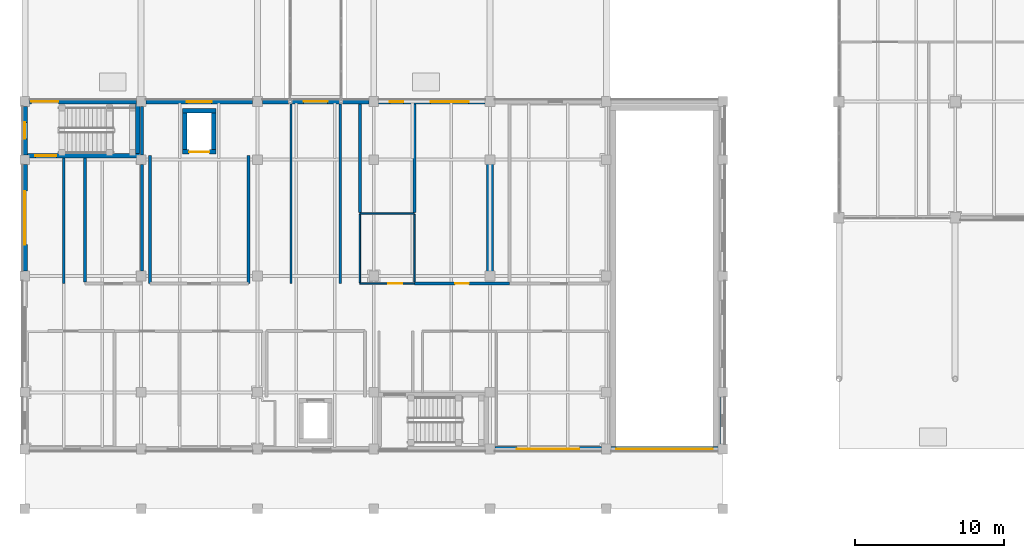
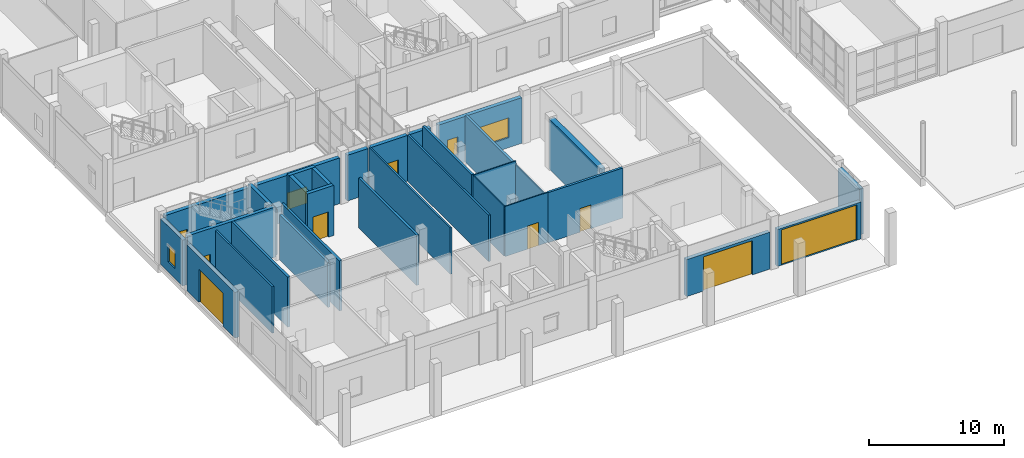
# One storey, part 92 of 131: 33 walls, 9 doors, 4 windows, 13 openings.
"""IFC4 building model written with IfcOpenShell, lengths in metres."""

from ifc_helpers import new_model, si_unit, direction, frame, frame_2d, origin, place, context, subcontext, project, spatial, rectangle, extrude, material, layer, layer_set, type_object, element, fill, save


model = new_model("IFC4")

# Units and contexts
model_context = context("Model", 3, precision=1e-05, world=origin(), true_north=direction((0.0, 1.0)))
body_context = subcontext(model_context, "Body", "Model", "MODEL_VIEW")
ifc_project = project(units=[si_unit("LENGTHUNIT", "METRE"), si_unit("AREAUNIT", "SQUARE_METRE"), si_unit("VOLUMEUNIT", "CUBIC_METRE"), si_unit("PLANEANGLEUNIT", "RADIAN"), si_unit("MASSUNIT", "GRAM", prefix="KILO")], contexts=[model_context])

# Site, building, storey
site_placement = place(None, origin())
site = spatial("IfcSite", under=ifc_project, at=site_placement, CompositionType="ELEMENT")
building_placement = place(site_placement, origin())
building = spatial("IfcBuilding", under=site, at=building_placement, Name="Celorna Specialist Clinic", CompositionType="ELEMENT")
storey_placement = place(building_placement, origin())
storey = spatial("IfcBuildingStorey", under=building, at=storey_placement, Name="L00", CompositionType="ELEMENT", Elevation=0.0)

# Wall
ifc_material_1 = material(Name="Concrete C40/50", Category="concrete")
ifc_layer_1 = layer(ifc_material_1, 0.449951171875, Name="Concrete C40/50")
ifc_layer_set_1 = layer_set([ifc_layer_1], Name="Concrete C40/50")
wall_type_1 = type_object("IfcWallType", Name="WT-04", PredefinedType="SHEAR", material=ifc_layer_set_1)
wall_1_placement = place(storey_placement, frame((31.199951171875, 15.75, 0.0), z_axis=(0.0, 0.0, 1.0), x_axis=(0.0, 1.0, 0.0)))
element("IfcWall", 1, at=wall_1_placement, inside=storey, type_object=wall_type_1, Name="Structural RC shear wall WT-04 V5 L00", PredefinedType="SHEAR", context=body_context, shape_type="SweptSolid", body=[
    extrude(rectangle(XDim=7.5, YDim=0.449951171875, at=frame_2d((3.75, 0.0))), origin(), (0.0, 0.0, 1.0), 4.5400390625),
])

# Wall, opening, door
ifc_material_2 = material(Name="Pero Pinheiro Lioz limestone insulated masonry", Category="masonry")
ifc_layer_2 = layer(ifc_material_2, 0.340087890625, Name="Pero Pinheiro Lioz limestone insulated masonry")
ifc_layer_set_2 = layer_set([ifc_layer_2], Name="Pero Pinheiro Lioz limestone insulated masonry")
wall_type_2 = type_object("IfcWallType", Name="WT-07", PredefinedType="STANDARD", material=ifc_layer_set_2)
wall_2_placement = place(storey_placement, frame((38.675048828125, 4.0, 0.0), z_axis=(0.0, 0.0, 1.0), x_axis=(-1.0, 0.0, 0.0)))
wall_2 = element("IfcWall", 2, at=wall_2_placement, inside=storey, type_object=wall_type_2, Name="External facade wall WT-07 #302", PredefinedType="STANDARD", context=body_context, shape_type="SweptSolid", body=[
    extrude(rectangle(XDim=7.150146484375, YDim=0.340087890625, at=frame_2d((3.5751953125, 0.0))), origin(), (0.0, 0.0, 1.0), 3.35009765625),
])
opening_1_placement = place(wall_2_placement, frame((1.47509765625, 0.0, 0.0)))
opening_1 = element("IfcOpeningElement", 3, at=opening_1_placement, cuts=wall_2, Name="Opening GT-02", PredefinedType="OPENING", context=body_context, shape_type="SweptSolid", body=[
    extrude(rectangle(XDim=4.199951171875, YDim=3.10009765625, at=frame_2d((2.10009765625, 1.550048828125))), frame((0.0, 0.179931640625, 0.0), z_axis=(0.0, -1.0, 0.0), x_axis=(1.0, 0.0, 0.0)), (0.0, 0.0, 1.0), 0.360107421875),
])
ifc_material_3 = material(Name="Insulated steel ambulance bay shutter", Category="steel")
door_type_1 = type_object("IfcDoorType", Name="GT-02", OperationType="ROLLINGUP", PredefinedType="GATE", material=ifc_material_3)
door_1_placement = place(opening_1_placement, frame((4.199951171875, 0.0, 0.0), z_axis=(0.0, 0.0, 1.0), x_axis=(-1.0, 0.0, 0.0)))
door_1 = element("IfcDoor", 4, at=door_1_placement, inside=storey, type_object=door_type_1, Name="Ambulance bay shutter VS-03", OperationType="ROLLINGUP", OverallHeight=3.10009765625, OverallWidth=4.199951171875, PredefinedType="GATE", context=body_context, shape_type="SweptSolid", body=[
    extrude(rectangle(XDim=4.199951171875, YDim=3.10009765625, at=frame_2d((2.10009765625, 1.550048828125))), frame((0.0, 0.02490234375, 0.0), z_axis=(0.0, -1.0, 0.0), x_axis=(1.0, 0.0, 0.0)), (0.0, 0.0, 1.0), 0.050048828125),
])
fill(opening_1, door_1)

wall_3_placement = place(storey_placement, frame((46.47509765625, 4.0, 0.0), z_axis=(0.0, 0.0, 1.0), x_axis=(-1.0, 0.0, 0.0)))
wall_3 = element("IfcWall", 5, at=wall_3_placement, inside=storey, type_object=wall_type_2, Name="External facade wall WT-07 #303", PredefinedType="STANDARD", context=body_context, shape_type="SweptSolid", body=[
    extrude(rectangle(XDim=7.150146484375, YDim=0.340087890625, at=frame_2d((3.5751953125, 0.0))), origin(), (0.0, 0.0, 1.0), 3.35009765625),
])
opening_2_placement = place(wall_3_placement, frame((0.324951171875, 0.0, 0.0)))
opening_2 = element("IfcOpeningElement", 6, at=opening_2_placement, cuts=wall_3, Name="Opening GT-01", PredefinedType="OPENING", context=body_context, shape_type="SweptSolid", body=[
    extrude(rectangle(XDim=6.5, YDim=3.199951171875, at=frame_2d((3.25, 1.60009765625))), frame((0.0, 0.179931640625, 0.0), z_axis=(0.0, -1.0, 0.0), x_axis=(1.0, 0.0, 0.0)), (0.0, 0.0, 1.0), 0.360107421875),
])
ifc_material_4 = material(Name="Insulated steel vehicle roller shutter", Category="steel")
door_type_2 = type_object("IfcDoorType", Name="GT-01", OperationType="ROLLINGUP", PredefinedType="GATE", material=ifc_material_4)
door_2_placement = place(opening_2_placement, frame((6.5, 0.0, 0.0), z_axis=(0.0, 0.0, 1.0), x_axis=(-1.0, 0.0, 0.0)))
door_2 = element("IfcDoor", 7, at=door_2_placement, inside=storey, type_object=door_type_2, Name="Car park ramp roller shutter VS-01", OperationType="ROLLINGUP", OverallHeight=3.199951171875, OverallWidth=6.5, PredefinedType="GATE", context=body_context, shape_type="SweptSolid", body=[
    extrude(rectangle(XDim=6.5, YDim=3.199951171875, at=frame_2d((3.25, 1.60009765625))), frame((0.0, 0.02490234375, 0.0), z_axis=(0.0, -1.0, 0.0), x_axis=(1.0, 0.0, 0.0)), (0.0, 0.0, 1.0), 0.050048828125),
])
fill(opening_2, door_2)

wall_4_placement = place(storey_placement, frame((0.324951171875, 27.300048828125, 0.0), z_axis=(0.0, 0.0, 1.0), x_axis=(1.0, 0.0, 0.0)))
wall_4 = element("IfcWall", 8, at=wall_4_placement, inside=storey, type_object=wall_type_2, Name="External facade wall WT-07 #304", PredefinedType="STANDARD", context=body_context, shape_type="SweptSolid", body=[
    extrude(rectangle(XDim=7.150146484375, YDim=0.340087890625, at=frame_2d((3.5751953125, 0.0))), origin(), (0.0, 0.0, 1.0), 4.139892578125),
])
opening_3_placement = place(wall_4_placement, frame((0.1201171875, 0.0, 0.0)))
opening_3 = element("IfcOpeningElement", 9, at=opening_3_placement, cuts=wall_4, Name="Opening DR-14", PredefinedType="OPENING", context=body_context, shape_type="SweptSolid", body=[
    extrude(rectangle(XDim=1.800048828125, YDim=2.25, at=frame_2d((0.89990234375, 1.125))), frame((0.0, 0.179931640625, 0.0), z_axis=(0.0, -1.0, 0.0), x_axis=(1.0, 0.0, 0.0)), (0.0, 0.0, 1.0), 0.360107421875),
])
ifc_material_5 = material(Name="Glazed aluminium final exit double door", Category="aluminium")
door_type_3 = type_object("IfcDoorType", Name="DR-14", OperationType="DOUBLE_DOOR_SINGLE_SWING", PredefinedType="DOOR", material=ifc_material_5)
door_3_placement = place(opening_3_placement, origin())
door_3 = element("IfcDoor", 10, at=door_3_placement, inside=storey, type_object=door_type_3, Name="Pedestrian final exit E04", OperationType="DOUBLE_DOOR_SINGLE_SWING", OverallHeight=2.25, OverallWidth=1.800048828125, PredefinedType="DOOR", context=body_context, shape_type="SweptSolid", body=[
    extrude(rectangle(XDim=1.800048828125, YDim=2.25, at=frame_2d((0.89990234375, 1.125))), frame((0.0, 0.02490234375, 0.0), z_axis=(0.0, -1.0, 0.0), x_axis=(1.0, 0.0, 0.0)), (0.0, 0.0, 1.0), 0.050048828125),
])
fill(opening_3, door_3)

# Wall, opening, window
wall_5_placement = place(storey_placement, frame((8.125, 27.300048828125, 0.0), z_axis=(0.0, 0.0, 1.0), x_axis=(1.0, 0.0, 0.0)))
wall_5 = element("IfcWall", 11, at=wall_5_placement, inside=storey, type_object=wall_type_2, Name="External facade wall WT-07 #305", PredefinedType="STANDARD", context=body_context, shape_type="SweptSolid", body=[
    extrude(rectangle(XDim=7.14990234375, YDim=0.340087890625, at=frame_2d((3.574951171875, 0.0))), origin(), (0.0, 0.0, 1.0), 4.139892578125),
])
opening_4_placement = place(wall_5_placement, frame((2.75, 0.0, 0.89990234375)))
opening_4 = element("IfcOpeningElement", 12, at=opening_4_placement, cuts=wall_5, Name="Opening WN-24", PredefinedType="OPENING", context=body_context, shape_type="SweptSolid", body=[
    extrude(rectangle(XDim=1.64990234375, YDim=1.5, at=frame_2d((0.824951171875, 0.75))), frame((0.0, 0.179931640625, 0.0), z_axis=(0.0, -1.0, 0.0), x_axis=(1.0, 0.0, 0.0)), (0.0, 0.0, 1.0), 0.360107421875),
])
ifc_material_6 = material(Name="Thermally broken aluminium triple-glazed window", Category="aluminium")
window_type_1 = type_object("IfcWindowType", Name="WN-24", PartitioningType="SINGLE_PANEL", PredefinedType="WINDOW", material=ifc_material_6)
window_1_placement = place(opening_4_placement, origin())
window_1 = element("IfcWindow", 13, at=window_1_placement, inside=storey, type_object=window_type_1, Name="Facade window WN-24 #181", OverallHeight=1.5, OverallWidth=1.64990234375, PartitioningType="SINGLE_PANEL", PredefinedType="WINDOW", context=body_context, shape_type="SweptSolid", body=[
    extrude(rectangle(XDim=1.64990234375, YDim=1.5, at=frame_2d((0.824951171875, 0.75))), frame((0.0, 0.030029296875, 0.0), z_axis=(0.0, -1.0, 0.0), x_axis=(1.0, 0.0, 0.0)), (0.0, 0.0, 1.0), 0.06005859375),
])
fill(opening_4, window_1)

# Wall
wall_6_placement = place(storey_placement, frame((15.925048828125, 27.300048828125, 0.0), z_axis=(0.0, 0.0, 1.0), x_axis=(1.0, 0.0, 0.0)))
element("IfcWall", 14, at=wall_6_placement, inside=storey, type_object=wall_type_2, Name="External facade wall WT-07 #306", PredefinedType="STANDARD", context=body_context, shape_type="SweptSolid", body=[
    extrude(rectangle(XDim=1.77490234375, YDim=0.340087890625, at=frame_2d((0.887451171875, 0.0))), origin(), (0.0, 0.0, 1.0), 4.139892578125),
])

# Wall, opening, door
wall_7_placement = place(storey_placement, frame((17.89990234375, 27.300048828125, 0.0), z_axis=(0.0, 0.0, 1.0), x_axis=(1.0, 0.0, 0.0)))
wall_7 = element("IfcWall", 15, at=wall_7_placement, inside=storey, type_object=wall_type_2, Name="External facade wall WT-07 #307", PredefinedType="STANDARD", context=body_context, shape_type="SweptSolid", body=[
    extrude(rectangle(XDim=3.2001953125, YDim=0.340087890625, at=frame_2d((1.60009765625, 0.0))), origin(), (0.0, 0.0, 1.0), 4.139892578125),
])
opening_5_placement = place(wall_7_placement, frame((0.800048828125, 0.0, 0.0)))
opening_5 = element("IfcOpeningElement", 16, at=opening_5_placement, cuts=wall_7, Name="Opening DR-12", PredefinedType="OPENING", context=body_context, shape_type="SweptSolid", body=[
    extrude(rectangle(XDim=1.60009765625, YDim=2.199951171875, at=frame_2d((0.800048828125, 1.10009765625))), frame((0.0, 0.179931640625, 0.0), z_axis=(0.0, -1.0, 0.0), x_axis=(1.0, 0.0, 0.0)), (0.0, 0.0, 1.0), 0.360107421875),
])
ifc_material_7 = material(Name="Corridor cross-compartment pair door")
door_type_4 = type_object("IfcDoorType", Name="DR-12", OperationType="DOUBLE_DOOR_SINGLE_SWING", PredefinedType="DOOR", material=ifc_material_7)
door_4_placement = place(opening_5_placement, origin())
door_4 = element("IfcDoor", 17, at=door_4_placement, inside=storey, type_object=door_type_4, Name="Bridge BR-01 south/west portal door L00", OperationType="DOUBLE_DOOR_SINGLE_SWING", OverallHeight=2.199951171875, OverallWidth=1.60009765625, PredefinedType="DOOR", context=body_context, shape_type="SweptSolid", body=[
    extrude(rectangle(XDim=1.60009765625, YDim=2.199951171875, at=frame_2d((0.800048828125, 1.10009765625))), frame((0.0, 0.02490234375, 0.0), z_axis=(0.0, -1.0, 0.0), x_axis=(1.0, 0.0, 0.0)), (0.0, 0.0, 1.0), 0.050048828125),
])
fill(opening_5, door_4)

# Wall
wall_8_placement = place(storey_placement, frame((21.300048828125, 27.300048828125, 0.0), z_axis=(0.0, 0.0, 1.0), x_axis=(1.0, 0.0, 0.0)))
element("IfcWall", 18, at=wall_8_placement, inside=storey, type_object=wall_type_2, Name="External facade wall WT-07 #308", PredefinedType="STANDARD", context=body_context, shape_type="SweptSolid", body=[
    extrude(rectangle(XDim=1.77490234375, YDim=0.340087890625, at=frame_2d((0.887451171875, 0.0))), origin(), (0.0, 0.0, 1.0), 4.139892578125),
])

# Wall, openings, windows
wall_9_placement = place(storey_placement, frame((23.72509765625, 27.300048828125, 0.0), z_axis=(0.0, 0.0, 1.0), x_axis=(1.0, 0.0, 0.0)))
wall_9 = element("IfcWall", 19, at=wall_9_placement, inside=storey, type_object=wall_type_2, Name="External facade wall WT-07 #309", PredefinedType="STANDARD", context=body_context, shape_type="SweptSolid", body=[
    extrude(rectangle(XDim=7.14990234375, YDim=0.340087890625, at=frame_2d((3.574951171875, 0.0))), origin(), (0.0, 0.0, 1.0), 4.139892578125),
])
opening_6_placement = place(wall_9_placement, frame((0.757568359375, 0.0, 0.89990234375)))
opening_6 = element("IfcOpeningElement", 20, at=opening_6_placement, cuts=wall_9, Name="Opening WN-01", PredefinedType="OPENING", context=body_context, shape_type="SweptSolid", body=[
    extrude(rectangle(XDim=0.89990234375, YDim=1.60009765625, at=frame_2d((0.449951171875, 0.800048828125))), frame((0.0, 0.179931640625, 0.0), z_axis=(0.0, -1.0, 0.0), x_axis=(1.0, 0.0, 0.0)), (0.0, 0.0, 1.0), 0.360107421875),
])
opening_7_placement = place(wall_9_placement, frame((3.487548828125, 0.0, 0.89990234375)))
opening_7 = element("IfcOpeningElement", 21, at=opening_7_placement, cuts=wall_9, Name="Opening WN-28", PredefinedType="OPENING", context=body_context, shape_type="SweptSolid", body=[
    extrude(rectangle(XDim=2.550048828125, YDim=1.800048828125, at=frame_2d((1.27490234375, 0.89990234375))), frame((0.0, 0.179931640625, 0.0), z_axis=(0.0, -1.0, 0.0), x_axis=(1.0, 0.0, 0.0)), (0.0, 0.0, 1.0), 0.360107421875),
])
window_type_2 = type_object("IfcWindowType", Name="WN-01", PartitioningType="SINGLE_PANEL", PredefinedType="WINDOW", material=ifc_material_6)
window_2_placement = place(opening_6_placement, origin())
window_2 = element("IfcWindow", 22, at=window_2_placement, inside=storey, type_object=window_type_2, Name="Facade window WN-01 #182", OverallHeight=1.60009765625, OverallWidth=0.89990234375, PartitioningType="SINGLE_PANEL", PredefinedType="WINDOW", context=body_context, shape_type="SweptSolid", body=[
    extrude(rectangle(XDim=0.89990234375, YDim=1.60009765625, at=frame_2d((0.449951171875, 0.800048828125))), frame((0.0, 0.030029296875, 0.0), z_axis=(0.0, -1.0, 0.0), x_axis=(1.0, 0.0, 0.0)), (0.0, 0.0, 1.0), 0.06005859375),
])
fill(opening_6, window_2)
ifc_material_8 = material(Name="Panoramic rehabilitation daylight window")
window_type_3 = type_object("IfcWindowType", Name="WN-28", PartitioningType="SINGLE_PANEL", PredefinedType="WINDOW", material=ifc_material_8)
window_3_placement = place(opening_7_placement, origin())
window_3 = element("IfcWindow", 23, at=window_3_placement, inside=storey, type_object=window_type_3, Name="Facade window WN-28 #183", OverallHeight=1.800048828125, OverallWidth=2.550048828125, PartitioningType="SINGLE_PANEL", PredefinedType="WINDOW", context=body_context, shape_type="SweptSolid", body=[
    extrude(rectangle(XDim=2.550048828125, YDim=1.800048828125, at=frame_2d((1.27490234375, 0.89990234375))), frame((0.0, 0.030029296875, 0.0), z_axis=(0.0, -1.0, 0.0), x_axis=(1.0, 0.0, 0.0)), (0.0, 0.0, 1.0), 0.06005859375),
])
fill(opening_7, window_3)

# Wall, opening, door
wall_10_placement = place(storey_placement, frame((0.0, 15.925048828125, 0.0), z_axis=(0.0, 0.0, 1.0), x_axis=(0.0, 1.0, 0.0)))
wall_10 = element("IfcWall", 24, at=wall_10_placement, inside=storey, type_object=wall_type_2, Name="External facade wall WT-07 #314", PredefinedType="STANDARD", context=body_context, shape_type="SweptSolid", body=[
    extrude(rectangle(XDim=7.14990234375, YDim=0.340087890625, at=frame_2d((3.574951171875, 0.0))), origin(), (0.0, 0.0, 1.0), 4.139892578125),
])
opening_8_placement = place(wall_10_placement, frame((1.77490234375, 0.0, 0.0)))
opening_8 = element("IfcOpeningElement", 25, at=opening_8_placement, cuts=wall_10, Name="Opening GT-03", PredefinedType="OPENING", context=body_context, shape_type="SweptSolid", body=[
    extrude(rectangle(XDim=3.60009765625, YDim=3.0, at=frame_2d((1.800048828125, 1.5))), frame((0.0, 0.179931640625, 0.0), z_axis=(0.0, -1.0, 0.0), x_axis=(1.0, 0.0, 0.0)), (0.0, 0.0, 1.0), 0.360107421875),
])
ifc_material_9 = material(Name="Insulated steel sterile loading shutter", Category="steel")
door_type_5 = type_object("IfcDoorType", Name="GT-03", OperationType="ROLLINGUP", PredefinedType="GATE", material=ifc_material_9)
door_5_placement = place(opening_8_placement, frame((3.60009765625, 0.0, 0.0), z_axis=(0.0, 0.0, 1.0), x_axis=(-1.0, 0.0, 0.0)))
door_5 = element("IfcDoor", 26, at=door_5_placement, inside=storey, type_object=door_type_5, Name="Pharmacy service yard shutter VS-05", OperationType="ROLLINGUP", OverallHeight=3.0, OverallWidth=3.60009765625, PredefinedType="GATE", context=body_context, shape_type="SweptSolid", body=[
    extrude(rectangle(XDim=3.60009765625, YDim=3.0, at=frame_2d((1.800048828125, 1.5))), frame((0.0, 0.02490234375, 0.0), z_axis=(0.0, -1.0, 0.0), x_axis=(1.0, 0.0, 0.0)), (0.0, 0.0, 1.0), 0.050048828125),
])
fill(opening_8, door_5)

# Wall, opening, window
wall_11_placement = place(storey_placement, frame((0.0, 23.72509765625, 0.0), z_axis=(0.0, 0.0, 1.0), x_axis=(0.0, 1.0, 0.0)))
wall_11 = element("IfcWall", 27, at=wall_11_placement, inside=storey, type_object=wall_type_2, Name="External facade wall WT-07 #315", PredefinedType="STANDARD", context=body_context, shape_type="SweptSolid", body=[
    extrude(rectangle(XDim=3.25, YDim=0.340087890625, at=frame_2d((1.625, 0.0))), origin(), (0.0, 0.0, 1.0), 4.139892578125),
])
opening_9_placement = place(wall_11_placement, frame((1.074951171875, 0.0, 0.89990234375)))
opening_9 = element("IfcOpeningElement", 28, at=opening_9_placement, cuts=wall_11, Name="Opening WN-03", PredefinedType="OPENING", context=body_context, shape_type="SweptSolid", body=[
    extrude(rectangle(XDim=1.10009765625, YDim=1.60009765625, at=frame_2d((0.550048828125, 0.800048828125))), frame((0.0, 0.179931640625, 0.0), z_axis=(0.0, -1.0, 0.0), x_axis=(1.0, 0.0, 0.0)), (0.0, 0.0, 1.0), 0.360107421875),
])
window_type_4 = type_object("IfcWindowType", Name="WN-03", PartitioningType="SINGLE_PANEL", PredefinedType="WINDOW", material=ifc_material_6)
window_4_placement = place(opening_9_placement, origin())
window_4 = element("IfcWindow", 29, at=window_4_placement, inside=storey, type_object=window_type_4, Name="Facade window WN-03 #186", OverallHeight=1.60009765625, OverallWidth=1.10009765625, PartitioningType="SINGLE_PANEL", PredefinedType="WINDOW", context=body_context, shape_type="SweptSolid", body=[
    extrude(rectangle(XDim=1.10009765625, YDim=1.60009765625, at=frame_2d((0.550048828125, 0.800048828125))), frame((0.0, 0.030029296875, 0.0), z_axis=(0.0, -1.0, 0.0), x_axis=(1.0, 0.0, 0.0)), (0.0, 0.0, 1.0), 0.06005859375),
])
fill(opening_9, window_4)

# Wall
wall_12_placement = place(storey_placement, frame((46.800048828125, 7.47509765625, 0.0), z_axis=(0.0, 0.0, 1.0), x_axis=(0.0, -1.0, 0.0)))
element("IfcWall", 30, at=wall_12_placement, inside=storey, type_object=wall_type_2, Name="External facade wall WT-07 #316", PredefinedType="STANDARD", context=body_context, shape_type="SweptSolid", body=[
    extrude(rectangle(XDim=3.150146484375, YDim=0.340087890625, at=frame_2d((1.5751953125, 0.0))), origin(), (0.0, 0.0, 1.0), 4.139892578125),
])

# Wall, opening, door
ifc_material_10 = material(Name="Concrete C35/45", Category="concrete")
ifc_layer_3 = layer(ifc_material_10, 0.300048828125, Name="Concrete C35/45")
ifc_layer_set_3 = layer_set([ifc_layer_3], Name="Concrete C35/45")
wall_type_3 = type_object("IfcWallType", Name="WT-08", PredefinedType="SHEAR", material=ifc_layer_set_3)
wall_13_placement = place(storey_placement, frame((0.14990234375, 23.669921875, 0.0), z_axis=(0.0, 0.0, 1.0), x_axis=(1.0, 0.0, 0.0)))
wall_13 = element("IfcWall", 31, at=wall_13_placement, inside=storey, type_object=wall_type_3, Name="Stair ST-04 RC core wall L00 south", PredefinedType="SHEAR", context=body_context, shape_type="SweptSolid", body=[
    extrude(rectangle(XDim=7.56005859375, YDim=0.300048828125, at=frame_2d((3.780029296875, 0.0))), origin(), (0.0, 0.0, 1.0), 4.5400390625),
])
opening_10_placement = place(wall_13_placement, frame((0.56005859375, 0.0, 0.0)))
opening_10 = element("IfcOpeningElement", 32, at=opening_10_placement, cuts=wall_13, Name="Opening DR-10", PredefinedType="OPENING", context=body_context, shape_type="SweptSolid", body=[
    extrude(rectangle(XDim=1.39990234375, YDim=2.199951171875, at=frame_2d((0.699951171875, 1.10009765625))), frame((0.0, 0.159912109375, 0.0), z_axis=(0.0, -1.0, 0.0), x_axis=(1.0, 0.0, 0.0)), (0.0, 0.0, 1.0), 0.320068359375),
])
ifc_material_11 = material(Name="Protected exit stair fire door")
door_type_6 = type_object("IfcDoorType", Name="DR-10", OperationType="NOTDEFINED", PredefinedType="DOOR", material=ifc_material_11)
door_6_placement = place(opening_10_placement, origin())
door_6 = element("IfcDoor", 33, at=door_6_placement, inside=storey, type_object=door_type_6, Name="Protected exit stair door ST-04 L00", OperationType="SINGLE_SWING_LEFT", OverallHeight=2.199951171875, OverallWidth=1.39990234375, PredefinedType="DOOR", context=body_context, shape_type="SweptSolid", body=[
    extrude(rectangle(XDim=1.39990234375, YDim=2.199951171875, at=frame_2d((0.699951171875, 1.10009765625))), frame((0.0, 0.02490234375, 0.0), z_axis=(0.0, -1.0, 0.0), x_axis=(1.0, 0.0, 0.0)), (0.0, 0.0, 1.0), 0.050048828125),
])
fill(opening_10, door_6)

# Wall
wall_14_placement = place(storey_placement, frame((7.56005859375, 23.820068359375, 0.0), z_axis=(0.0, 0.0, 1.0), x_axis=(0.0, 1.0, 0.0)))
element("IfcWall", 34, at=wall_14_placement, inside=storey, type_object=wall_type_3, Name="Stair ST-04 RC core wall L00 east", PredefinedType="SHEAR", context=body_context, shape_type="SweptSolid", body=[
    extrude(rectangle(XDim=3.329833984375, YDim=0.300048828125, at=frame_2d((1.6650390625, 0.0))), origin(), (0.0, 0.0, 1.0), 4.5400390625),
])

# Wall, opening, door
wall_15_placement = place(storey_placement, frame((10.574951171875, 23.925048828125, 0.0), z_axis=(0.0, 0.0, 1.0), x_axis=(1.0, 0.0, 0.0)))
wall_15 = element("IfcWall", 35, at=wall_15_placement, inside=storey, type_object=wall_type_3, Name="Lift LF-04 RC shaft wall L00", PredefinedType="SHEAR", context=body_context, shape_type="SweptSolid", body=[
    extrude(rectangle(XDim=2.25, YDim=0.300048828125, at=frame_2d((1.125, 0.0))), origin(), (0.0, 0.0, 1.0), 4.5400390625),
])
opening_11_placement = place(wall_15_placement, frame((0.449951171875, 0.0, 0.0)))
opening_11 = element("IfcOpeningElement", 36, at=opening_11_placement, cuts=wall_15, Name="Opening LD-02", PredefinedType="OPENING", context=body_context, shape_type="SweptSolid", body=[
    extrude(rectangle(XDim=1.35009765625, YDim=2.300048828125, at=frame_2d((0.675048828125, 1.14990234375))), frame((0.0, 0.159912109375, 0.0), z_axis=(0.0, -1.0, 0.0), x_axis=(1.0, 0.0, 0.0)), (0.0, 0.0, 1.0), 0.320068359375),
])
ifc_material_12 = material(Name="Firefighting stretcher lift landing sliding door")
door_type_7 = type_object("IfcDoorType", Name="LD-02", OperationType="DOUBLE_DOOR_SLIDING", PredefinedType="DOOR", material=ifc_material_12)
door_7_placement = place(opening_11_placement, origin())
door_7 = element("IfcDoor", 37, at=door_7_placement, inside=storey, type_object=door_type_7, Name="Lift LF-04 sliding landing door L00", OperationType="DOUBLE_DOOR_SLIDING", OverallHeight=2.300048828125, OverallWidth=1.35009765625, PredefinedType="DOOR", context=body_context, shape_type="SweptSolid", body=[
    extrude(rectangle(XDim=1.35009765625, YDim=2.300048828125, at=frame_2d((0.675048828125, 1.14990234375))), frame((0.0, 0.02490234375, 0.0), z_axis=(0.0, -1.0, 0.0), x_axis=(1.0, 0.0, 0.0)), (0.0, 0.0, 1.0), 0.050048828125),
])
fill(opening_11, door_7)

# Walls
wall_16_placement = place(storey_placement, frame((12.824951171875, 26.675048828125, 0.0), z_axis=(0.0, 0.0, 1.0), x_axis=(-1.0, 0.0, 0.0)))
element("IfcWall", 38, at=wall_16_placement, inside=storey, type_object=wall_type_3, Name="Lift LF-04 RC shaft wall L00", PredefinedType="SHEAR", context=body_context, shape_type="SweptSolid", body=[
    extrude(rectangle(XDim=2.25, YDim=0.300048828125, at=frame_2d((1.125, 0.0))), origin(), (0.0, 0.0, 1.0), 4.5400390625),
])
for number, where, z_axis, x_axis, name in (
    (39, (10.72509765625, 26.52490234375, 0.0), (0.0, 0.0, 1.0), (0.0, -1.0, 0.0), "Lift LF-04 RC shaft wall L00"),
    (40, (12.675048828125, 24.074951171875, 0.0), (0.0, 0.0, 1.0), (0.0, 1.0, 0.0), "Lift LF-04 RC shaft wall L00"),
):
    element("IfcWall", number, at=place(storey_placement, frame(where, z_axis=z_axis, x_axis=x_axis)), inside=storey, type_object=wall_type_3, Name=name, PredefinedType="SHEAR", context=body_context, shape_type="SweptSolid", body=[
        extrude(rectangle(XDim=2.449951171875, YDim=0.300048828125, at=frame_2d((1.22509765625, 0.0))), origin(), (0.0, 0.0, 1.0), 4.5400390625),
    ])
ifc_layer_4 = layer(ifc_material_10, 0.199951171875, Name="Concrete C35/45")
ifc_layer_set_4 = layer_set([ifc_layer_4], Name="Concrete C35/45")
wall_type_4 = type_object("IfcWallType", Name="WT-12", PredefinedType="SOLIDWALL", material=ifc_layer_set_4)
for number, where, z_axis, x_axis, name in (
    (41, (8.39990234375, 23.699951171875, 0.0), (0.0, 0.0, 1.0), (0.0, -1.0, 0.0), "Firefighting lobby wall LF-04 L00"),
    (42, (15.0, 15.10009765625, 0.0), (0.0, 0.0, 1.0), (0.0, 1.0, 0.0), "Firefighting lobby wall LF-04 L00"),
):
    element("IfcWall", number, at=place(storey_placement, frame(where, z_axis=z_axis, x_axis=x_axis)), inside=storey, type_object=wall_type_4, Name=name, PredefinedType="SOLIDWALL", context=body_context, shape_type="SweptSolid", body=[
        extrude(rectangle(XDim=8.599853515625, YDim=0.199951171875, at=frame_2d((4.2998046875, 0.0))), origin(), (0.0, 0.0, 1.0), 4.5400390625),
    ])

# Wall, opening, door
wall_17_placement = place(storey_placement, frame((26.1201171875, 15.10009765625, 0.0), z_axis=(0.0, 0.0, 1.0), x_axis=(1.0, 0.0, 0.0)))
wall_17 = element("IfcWall", 43, at=wall_17_placement, inside=storey, type_object=wall_type_4, Name="Interior partition WT-12 L00-098", PredefinedType="SOLIDWALL", context=body_context, shape_type="SweptSolid", body=[
    extrude(rectangle(XDim=6.39990234375, YDim=0.199951171875, at=frame_2d((3.199951171875, 0.0))), origin(), (0.0, 0.0, 1.0), 4.5400390625),
])
opening_12_placement = place(wall_17_placement, frame((2.739990234375, 0.0, 0.0)))
opening_12 = element("IfcOpeningElement", 44, at=opening_12_placement, cuts=wall_17, Name="Opening DR-20", PredefinedType="OPENING", context=body_context, shape_type="SweptSolid", body=[
    extrude(rectangle(XDim=0.919921875, YDim=2.14990234375, at=frame_2d((0.4599609375, 1.074951171875))), frame((0.0, 0.10986328125, 0.0), z_axis=(0.0, -1.0, 0.0), x_axis=(1.0, 0.0, 0.0)), (0.0, 0.0, 1.0), 0.219970703125),
])
ifc_material_13 = material(Name="Timber clinical consultation door", Category="wood")
door_type_8 = type_object("IfcDoorType", Name="DR-20", OperationType="NOTDEFINED", PredefinedType="DOOR", material=ifc_material_13)
door_8_placement = place(opening_12_placement, origin())
door_8 = element("IfcDoor", 45, at=door_8_placement, inside=storey, type_object=door_type_8, Name="Fire Command Centre door L00-098", OperationType="SINGLE_SWING_LEFT", OverallHeight=2.14990234375, OverallWidth=0.919921875, PredefinedType="DOOR", context=body_context, shape_type="SweptSolid", body=[
    extrude(rectangle(XDim=0.919921875, YDim=2.14990234375, at=frame_2d((0.4599609375, 1.074951171875))), frame((0.0, 0.02490234375, 0.0), z_axis=(0.0, -1.0, 0.0), x_axis=(1.0, 0.0, 0.0)), (0.0, 0.0, 1.0), 0.050048828125),
])
fill(opening_12, door_8)

# Walls
wall_18_placement = place(storey_placement, frame((4.02001953125, 15.199951171875, 0.0), z_axis=(0.0, 0.0, 1.0), x_axis=(0.0, 1.0, 0.0)))
element("IfcWall", 46, at=wall_18_placement, inside=storey, type_object=wall_type_4, Name="Room dividing partition WT-12 L00-096", PredefinedType="SOLIDWALL", context=body_context, shape_type="SweptSolid", body=[
    extrude(rectangle(XDim=8.320068359375, YDim=0.199951171875, at=frame_2d((4.16015625, 0.0))), origin(), (0.0, 0.0, 1.0), 4.5400390625),
])
wall_19_placement = place(storey_placement, frame((7.8701171875, 15.925048828125, 0.0), z_axis=(0.0, 0.0, 1.0), x_axis=(0.0, 1.0, 0.0)))
element("IfcWall", 47, at=wall_19_placement, inside=storey, type_object=wall_type_4, Name="Room dividing partition WT-12 L00-096", PredefinedType="SOLIDWALL", context=body_context, shape_type="SweptSolid", body=[
    extrude(rectangle(XDim=7.14990234375, YDim=0.199951171875, at=frame_2d((3.574951171875, 0.0))), origin(), (0.0, 0.0, 1.0), 4.090087890625),
])
wall_20_placement = place(storey_placement, frame((7.8701171875, 23.72509765625, 0.0), z_axis=(0.0, 0.0, 1.0), x_axis=(0.0, 1.0, 0.0)))
element("IfcWall", 48, at=wall_20_placement, inside=storey, type_object=wall_type_4, Name="Room dividing partition WT-12 L00-096", PredefinedType="SOLIDWALL", context=body_context, shape_type="SweptSolid", body=[
    extrude(rectangle(XDim=3.25, YDim=0.199951171875, at=frame_2d((1.625, 0.0))), origin(), (0.0, 0.0, 1.0), 4.090087890625),
])
wall_21_placement = place(storey_placement, frame((26.1201171875, 19.85009765625, 0.0), z_axis=(0.0, 0.0, 1.0), x_axis=(0.0, 1.0, 0.0)))
element("IfcWall", 49, at=wall_21_placement, inside=storey, type_object=wall_type_4, Name="Room dividing partition WT-12 L00-098", PredefinedType="SOLIDWALL", context=body_context, shape_type="SweptSolid", body=[
    extrude(rectangle(XDim=7.27978515625, YDim=0.199951171875, at=frame_2d((3.639892578125, 0.0))), origin(), (0.0, 0.0, 1.0), 4.2099609375),
])
wall_22_placement = place(storey_placement, frame((22.469970703125, 19.85009765625, 0.0), z_axis=(0.0, 0.0, 1.0), x_axis=(0.0, 1.0, 0.0)))
element("IfcWall", 50, at=wall_22_placement, inside=storey, type_object=wall_type_4, Name="Room dividing partition WT-12 L00-098", PredefinedType="SOLIDWALL", context=body_context, shape_type="SweptSolid", body=[
    extrude(rectangle(XDim=7.27978515625, YDim=0.199951171875, at=frame_2d((3.639892578125, 0.0))), origin(), (0.0, 0.0, 1.0), 4.5400390625),
])
ifc_material_14 = material(Name="Fire-rated gypsum board partition")
ifc_layer_5 = layer(ifc_material_14, 0.14990234375, Name="Fire-rated gypsum board partition")
ifc_layer_set_5 = layer_set([ifc_layer_5], Name="Fire-rated gypsum board partition")
wall_type_5 = type_object("IfcWallType", Name="WT-14", PredefinedType="PARTITIONING", material=ifc_layer_set_5)
wall_23_placement = place(storey_placement, frame((2.610107421875, 15.10009765625, 0.0), z_axis=(0.0, 0.0, 1.0), x_axis=(0.0, 1.0, 0.0)))
element("IfcWall", 51, at=wall_23_placement, inside=storey, type_object=wall_type_5, Name="Corridor spur partition WT-14", PredefinedType="PARTITIONING", context=body_context, shape_type="SweptSolid", body=[
    extrude(rectangle(XDim=8.419921875, YDim=0.14990234375, at=frame_2d((4.2099609375, 0.0))), origin(), (0.0, 0.0, 1.0), 4.2099609375),
])
for number, where, z_axis, x_axis, name in (
    (52, (17.85009765625, 15.10009765625, 0.0), (0.0, 0.0, 1.0), (0.0, 1.0, 0.0), "Corridor spur partition WT-14"),
    (53, (21.14990234375, 15.10009765625, 0.0), (0.0, 0.0, 1.0), (0.0, 1.0, 0.0), "Corridor spur partition WT-14"),
):
    element("IfcWall", number, at=place(storey_placement, frame(where, z_axis=z_axis, x_axis=x_axis)), inside=storey, type_object=wall_type_5, Name=name, PredefinedType="PARTITIONING", context=body_context, shape_type="SweptSolid", body=[
        extrude(rectangle(XDim=12.02978515625, YDim=0.14990234375, at=frame_2d((6.014892578125, 0.0))), origin(), (0.0, 0.0, 1.0), 4.2099609375),
    ])

# Wall, opening, door
ifc_material_15 = material(Name="Moisture-resistant gypsum partition")
ifc_layer_6 = layer(ifc_material_15, 0.10009765625, Name="Moisture-resistant gypsum partition")
ifc_layer_set_6 = layer_set([ifc_layer_6], Name="Moisture-resistant gypsum partition")
wall_type_6 = type_object("IfcWallType", Name="WT-16", PredefinedType="PARTITIONING", material=ifc_layer_set_6)
wall_24_placement = place(storey_placement, frame((22.469970703125, 15.10009765625, 0.0), z_axis=(0.0, 0.0, 1.0), x_axis=(1.0, 0.0, 0.0)))
wall_24 = element("IfcWall", 54, at=wall_24_placement, inside=storey, type_object=wall_type_6, Name="Interior partition WT-16 L00-097", PredefinedType="PARTITIONING", context=body_context, shape_type="SweptSolid", body=[
    extrude(rectangle(XDim=3.650146484375, YDim=0.10009765625, at=frame_2d((1.8251953125, 0.0))), origin(), (0.0, 0.0, 1.0), 4.5400390625),
])
opening_13_placement = place(wall_24_placement, frame((1.8974609375, 0.0, 0.0)))
opening_13 = element("IfcOpeningElement", 55, at=opening_13_placement, cuts=wall_24, Name="Opening DR-03", PredefinedType="OPENING", context=body_context, shape_type="SweptSolid", body=[
    extrude(rectangle(XDim=0.949951171875, YDim=2.10009765625, at=frame_2d((0.47509765625, 1.050048828125))), frame((0.0, 0.06005859375, 0.0), z_axis=(0.0, -1.0, 0.0), x_axis=(1.0, 0.0, 0.0)), (0.0, 0.0, 1.0), 0.1201171875),
])
ifc_material_16 = material(Name="Moisture-resistant accessible WC door")
door_type_9 = type_object("IfcDoorType", Name="DR-03", OperationType="NOTDEFINED", PredefinedType="DOOR", material=ifc_material_16)
door_9_placement = place(opening_13_placement, origin())
door_9 = element("IfcDoor", 56, at=door_9_placement, inside=storey, type_object=door_type_9, Name="Staff WC door L00-097", OperationType="SINGLE_SWING_RIGHT", OverallHeight=2.10009765625, OverallWidth=0.949951171875, PredefinedType="DOOR", context=body_context, shape_type="SweptSolid", body=[
    extrude(rectangle(XDim=0.949951171875, YDim=2.10009765625, at=frame_2d((0.47509765625, 1.050048828125))), frame((0.0, 0.02490234375, 0.0), z_axis=(0.0, -1.0, 0.0), x_axis=(1.0, 0.0, 0.0)), (0.0, 0.0, 1.0), 0.050048828125),
])
fill(opening_13, door_9)

# Walls
wall_25_placement = place(storey_placement, frame((22.469970703125, 19.800048828125, 0.0), z_axis=(0.0, 0.0, 1.0), x_axis=(1.0, 0.0, 0.0)))
element("IfcWall", 57, at=wall_25_placement, inside=storey, type_object=wall_type_6, Name="Sanitary suite rear partition L00-097", PredefinedType="PARTITIONING", context=body_context, shape_type="SweptSolid", body=[
    extrude(rectangle(XDim=3.650146484375, YDim=0.10009765625, at=frame_2d((1.8251953125, 0.0))), origin(), (0.0, 0.0, 1.0), 4.5400390625),
])
wall_26_placement = place(storey_placement, frame((22.469970703125, 15.14990234375, 0.0), z_axis=(0.0, 0.0, 1.0), x_axis=(0.0, 1.0, 0.0)))
element("IfcWall", 58, at=wall_26_placement, inside=storey, type_object=wall_type_6, Name="Room dividing partition WT-16 L00-097", PredefinedType="PARTITIONING", context=body_context, shape_type="SweptSolid", body=[
    extrude(rectangle(XDim=4.60009765625, YDim=0.10009765625, at=frame_2d((2.300048828125, 0.0))), origin(), (0.0, 0.0, 1.0), 4.5400390625),
])
wall_27_placement = place(storey_placement, frame((26.1201171875, 15.199951171875, 0.0), z_axis=(0.0, 0.0, 1.0), x_axis=(0.0, 1.0, 0.0)))
element("IfcWall", 59, at=wall_27_placement, inside=storey, type_object=wall_type_6, Name="Room dividing partition WT-16 L00-097", PredefinedType="PARTITIONING", context=body_context, shape_type="SweptSolid", body=[
    extrude(rectangle(XDim=4.550048828125, YDim=0.10009765625, at=frame_2d((2.27490234375, 0.0))), origin(), (0.0, 0.0, 1.0), 4.2099609375),
])

save(model, "model.ifc")
